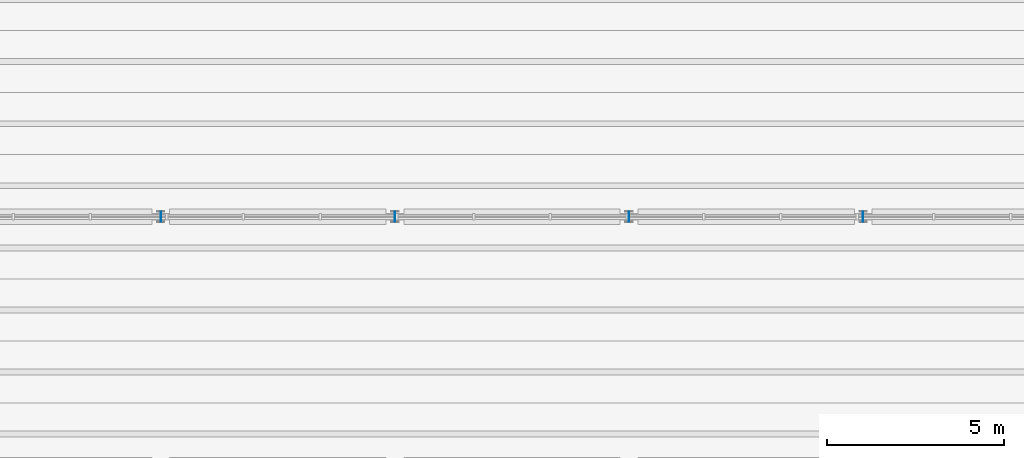
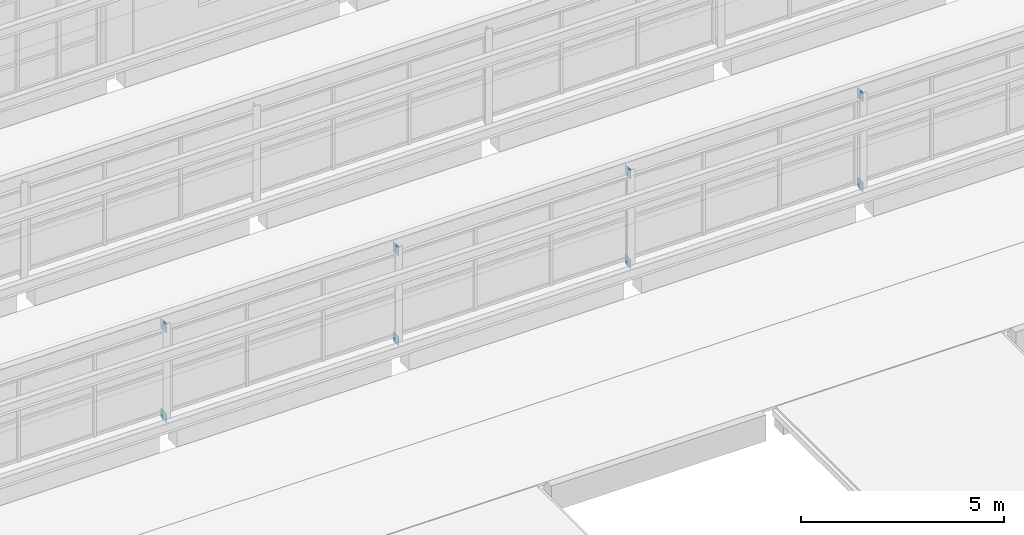
# One storey, part 82 of 92: 8 plates.
"""IFC4 building model written with IfcOpenShell, lengths in metres."""

from ifc_helpers import new_model, si_unit, direction, frame, origin, origin_2d, place, context, subcontext, project, spatial, rectangle, extrude, material, layer, layer_set, type_object, element, save


model = new_model("IFC4")

# Units and contexts
model_context = context("Model", 3, precision=1e-05, world=origin(), true_north=direction((0.0, 1.0)))
body_context = subcontext(model_context, "Body", "Model", "MODEL_VIEW")
ifc_project = project(units=[si_unit("LENGTHUNIT", "METRE"), si_unit("AREAUNIT", "SQUARE_METRE"), si_unit("VOLUMEUNIT", "CUBIC_METRE"), si_unit("PLANEANGLEUNIT", "RADIAN"), si_unit("MASSUNIT", "GRAM", prefix="KILO")], contexts=[model_context])

# Site, building, storey
site_placement = place(None, origin())
site = spatial("IfcSite", under=ifc_project, at=site_placement, CompositionType="ELEMENT")
building_placement = place(site_placement, origin())
building = spatial("IfcBuilding", under=site, at=building_placement, Name="Ciguamira Faculty of Natural Sciences", CompositionType="ELEMENT")
storey_placement = place(building_placement, frame((0.0, 0.0, 16.800048828125)))
storey = spatial("IfcBuildingStorey", under=building, at=storey_placement, Name="L04", CompositionType="ELEMENT", Elevation=16.800048828125)

# Plates
ifc_material = material(Name="Steel ASTM A572 Grade 50", Category="steel")
ifc_layer = layer(ifc_material, 0.01611328125, Name="Steel ASTM A572 Grade 50")
ifc_layer_set = layer_set([ifc_layer], Name="Steel ASTM A572 Grade 50")
plate_type = type_object("IfcPlateType", Name="GussetPlate_EP-01", PredefinedType="SHEET", material=ifc_layer_set)
for number, where, z_axis, x_axis, name in (
    (1, (77.10009765625, 80.0, 0.0), (0.0, 0.0, 1.0), (1.0, 0.0, 0.0), "V4 wave 5 post connection plate 77-1"),
    (2, (77.10009765625, 80.0, 2.7060546875), (0.0, 0.0, 1.0), (1.0, 0.0, 0.0), "V4 wave 5 post connection plate 77-2"),
    (3, (83.699951171875, 80.0, 0.0), (0.0, 0.0, 1.0), (1.0, 0.0, 0.0), "V4 wave 5 post connection plate 84-1"),
    (4, (83.699951171875, 80.0, 2.7060546875), (0.0, 0.0, 1.0), (1.0, 0.0, 0.0), "V4 wave 5 post connection plate 84-2"),
    (5, (90.300048828125, 80.0, 0.0), (0.0, 0.0, 1.0), (1.0, 0.0, 0.0), "V4 wave 5 post connection plate 90-1"),
    (6, (90.300048828125, 80.0, 2.7060546875), (0.0, 0.0, 1.0), (1.0, 0.0, 0.0), "V4 wave 5 post connection plate 90-2"),
    (7, (96.89990234375, 80.0, 0.0), (0.0, 0.0, 1.0), (1.0, 0.0, 0.0), "V4 wave 5 post connection plate 97-1"),
    (8, (96.89990234375, 80.0, 2.7060546875), (0.0, 0.0, 1.0), (1.0, 0.0, 0.0), "V4 wave 5 post connection plate 97-2"),
):
    element("IfcPlate", number, at=place(storey_placement, frame(where, z_axis=z_axis, x_axis=x_axis)), inside=storey, type_object=plate_type, Name=name, PredefinedType="SHEET", context=body_context, shape_type="SweptSolid", body=[
        extrude(rectangle(XDim=0.01611328125, YDim=0.280029296875, at=origin_2d()), origin(), (0.0, 0.0, 1.0), 0.280029296875),
    ])

save(model, "model.ifc")
